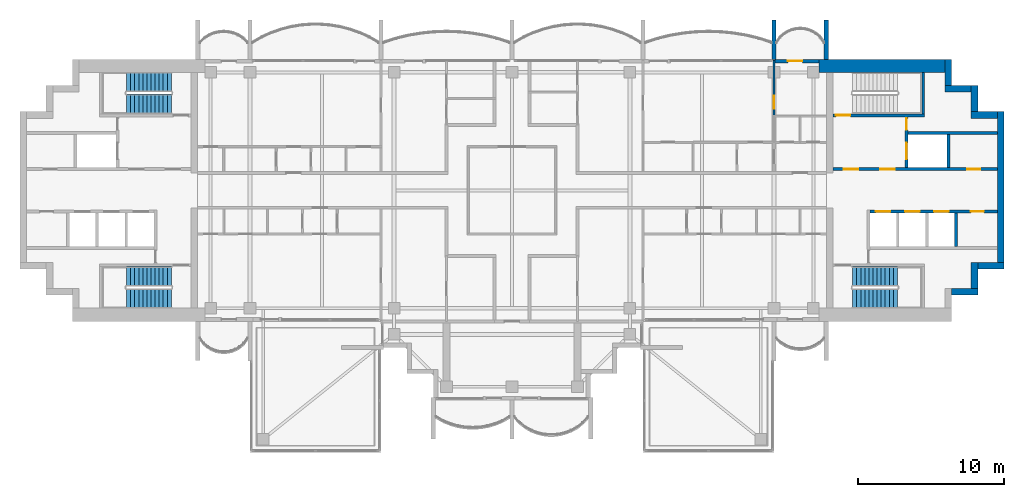
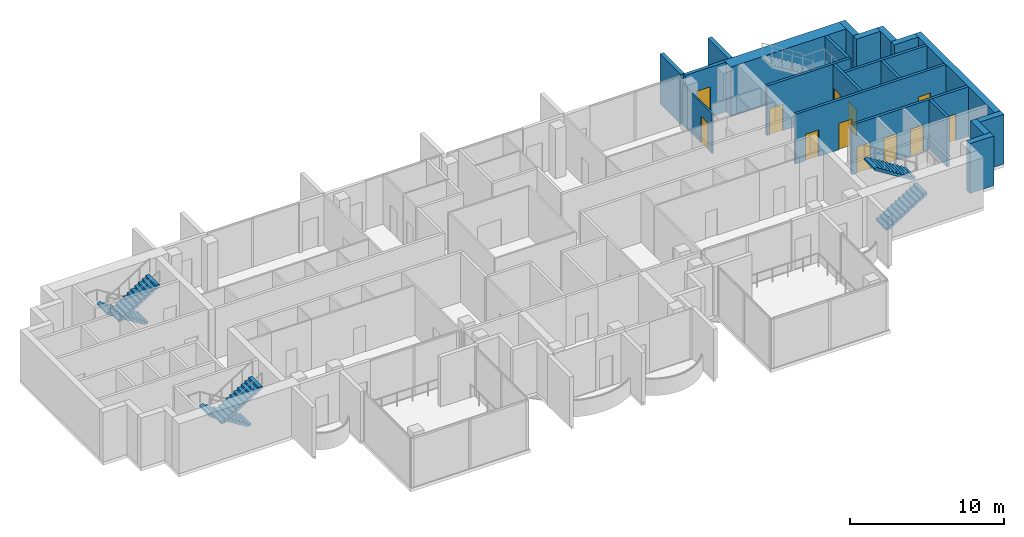
# One storey, part 11 of 16: 21 walls, 12 doors, 6 stair flights, 12 openings, 3 elements without a shape of their own.
"""IFC4 building model written with IfcOpenShell, lengths in metres."""

from ifc_helpers import new_model, si_unit, direction, frame, frame_2d, origin, place, context, subcontext, project, spatial, polyline, rectangle, outline, extrude, material, layer, layer_set, type_object, element, fill, aggregate, save


model = new_model("IFC4")

# Units and contexts
model_context = context("Model", 3, precision=1e-05, world=origin(), true_north=direction((0.0, 1.0)))
body_context = subcontext(model_context, "Body", "Model", "MODEL_VIEW")
ifc_project = project(units=[si_unit("LENGTHUNIT", "METRE"), si_unit("AREAUNIT", "SQUARE_METRE"), si_unit("VOLUMEUNIT", "CUBIC_METRE"), si_unit("PLANEANGLEUNIT", "RADIAN"), si_unit("MASSUNIT", "GRAM", prefix="KILO")], contexts=[model_context])

# Site, building, storey
site_placement = place(None, origin())
site = spatial("IfcSite", under=ifc_project, at=site_placement, CompositionType="ELEMENT")
building_placement = place(site_placement, origin())
building = spatial("IfcBuilding", under=site, at=building_placement, Name="Perihelion Cross Residences", CompositionType="ELEMENT")
storey_placement = place(building_placement, frame((0.0, 0.0, 294.60009765625)))
storey = spatial("IfcBuildingStorey", under=building, at=storey_placement, Name="L75", CompositionType="ELEMENT", Elevation=294.60009765625)

# Wall, opening, door
ifc_material_1 = material(Name="Concrete C30/37, bronze-clad", Category="concrete")
ifc_layer_1 = layer(ifc_material_1, 0.25)
ifc_layer_set_1 = layer_set([ifc_layer_1], Name="Bronze-clad pier wall 250")
wall_type_1 = type_object("IfcWallType", Name="Bronze-clad pier wall 250", PredefinedType="SOLIDWALL", material=ifc_layer_set_1)
wall_1_placement = place(storey_placement, frame((21.10009765625, 8.875, 0.0), z_axis=(0.0, 0.0, 1.0), x_axis=(-1.0, 0.0, 0.0)))
wall_1 = element("IfcWall", 1, at=wall_1_placement, inside=storey, type_object=wall_type_1, Name="Wall FW1 L75 east side north bay 1 pier", PredefinedType="SOLIDWALL", context=body_context, shape_type="SweptSolid", body=[
    extrude(rectangle(XDim=3.0400390625, YDim=0.25, at=frame_2d((1.52001953125, 0.0))), origin(), (0.0, 0.0, 1.0), 3.949951171875),
])
opening_1_placement = place(wall_1_placement, frame((1.14990234375, 0.0, 0.0)))
opening_1 = element("IfcOpeningElement", 2, at=opening_1_placement, cuts=wall_1, Name="Opening L75.E01", PredefinedType="OPENING", context=body_context, shape_type="SweptSolid", body=[
    extrude(rectangle(XDim=1.0, YDim=2.39990234375, at=frame_2d((0.5, 1.199951171875))), frame((0.0, 0.135009765625, 0.0), z_axis=(0.0, -1.0, 0.0), x_axis=(1.0, 0.0, 0.0)), (0.0, 0.0, 1.0), 0.27001953125),
])
ifc_material_2 = material(Name="Bronze anodised aluminium, glazed", Category="aluminium")
door_type_1 = type_object("IfcDoorType", Name="Balcony door 1000 x 2400", OperationType="NOTDEFINED", PredefinedType="DOOR", material=ifc_material_2)
door_1_placement = place(opening_1_placement, origin())
door_1 = element("IfcDoor", 3, at=door_1_placement, inside=storey, type_object=door_type_1, Name="Door L75.E01 east side north bay 1", OperationType="SINGLE_SWING_LEFT", OverallHeight=2.39990234375, OverallWidth=1.0, PredefinedType="DOOR", context=body_context, shape_type="SweptSolid", body=[
    extrude(rectangle(XDim=1.0, YDim=2.39990234375, at=frame_2d((0.5, 1.199951171875))), frame((0.0, 0.02490234375, 0.0), z_axis=(0.0, -1.0, 0.0), x_axis=(1.0, 0.0, 0.0)), (0.0, 0.0, 1.0), 0.050048828125),
])
fill(opening_1, door_1)

# Walls
ifc_material_3 = material(Name="Concrete C60/75", Category="concrete")
ifc_layer_2 = layer(ifc_material_3, 0.449951171875)
ifc_layer_set_2 = layer_set([ifc_layer_2], Name="Core wall, outer 450")
wall_type_2 = type_object("IfcWallType", Name="Core wall, outer 450", PredefinedType="SHEAR", material=ifc_layer_set_2)
for number, where, z_axis, x_axis, name in (
    (4, (30.199951171875, -6.97509765625, 0.0), (0.0, 0.0, 1.0), (1.0, 0.0, 0.0), "East core core wall, outer"),
    (5, (31.77490234375, -6.75, 0.0), (0.0, 0.0, 1.0), (0.0, 1.0, 0.0), "East core core wall, outer"),
    (6, (32.0, -5.175048828125, 0.0), (0.0, 0.0, 1.0), (1.0, 0.0, 0.0), "East core core wall, outer"),
):
    element("IfcWall", number, at=place(storey_placement, frame(where, z_axis=z_axis, x_axis=x_axis)), inside=storey, type_object=wall_type_2, Name=name, PredefinedType="SHEAR", context=body_context, shape_type="SweptSolid", body=[
        extrude(rectangle(XDim=1.800048828125, YDim=0.449951171875, at=frame_2d((0.89990234375, 0.0))), origin(), (0.0, 0.0, 1.0), 3.949951171875),
    ])
wall_2_placement = place(storey_placement, frame((33.574951171875, -4.949951171875, 0.0), z_axis=(0.0, 0.0, 1.0), x_axis=(0.0, 1.0, 0.0)))
element("IfcWall", 7, at=wall_2_placement, inside=storey, type_object=wall_type_2, Name="East core core wall, outer", PredefinedType="SHEAR", context=body_context, shape_type="SweptSolid", body=[
    extrude(rectangle(XDim=10.349853515625, YDim=0.449951171875, at=frame_2d((5.1748046875, 0.0))), origin(), (0.0, 0.0, 1.0), 3.949951171875),
])
for number, where, z_axis, x_axis, name in (
    (8, (31.550048828125, 5.175048828125, 0.0), (0.0, 0.0, 1.0), (1.0, 0.0, 0.0), "East core core wall, outer"),
    (9, (31.77490234375, 5.39990234375, 0.0), (0.0, 0.0, 1.0), (0.0, 1.0, 0.0), "East core core wall, outer"),
    (10, (29.75, 6.97509765625, 0.0), (0.0, 0.0, 1.0), (1.0, 0.0, 0.0), "East core core wall, outer"),
    (11, (29.97509765625, 7.199951171875, 0.0), (0.0, 0.0, 1.0), (0.0, 1.0, 0.0), "East core core wall, outer"),
):
    element("IfcWall", number, at=place(storey_placement, frame(where, z_axis=z_axis, x_axis=x_axis)), inside=storey, type_object=wall_type_2, Name=name, PredefinedType="SHEAR", context=body_context, shape_type="SweptSolid", body=[
        extrude(rectangle(XDim=1.800048828125, YDim=0.449951171875, at=frame_2d((0.89990234375, 0.0))), origin(), (0.0, 0.0, 1.0), 3.949951171875),
    ])
ifc_material_4 = material(Name="Concrete C60/75", Category="concrete")
ifc_layer_3 = layer(ifc_material_4, 0.89990234375)
ifc_layer_set_3 = layer_set([ifc_layer_3], Name="Core wall, outer 900")
wall_type_3 = type_object("IfcWallType", Name="Core wall, outer 900", PredefinedType="SHEAR", material=ifc_layer_set_3)
wall_3_placement = place(storey_placement, frame((21.10009765625, 8.550048828125, 0.0), z_axis=(0.0, 0.0, 1.0), x_axis=(1.0, 0.0, 0.0)))
element("IfcWall", 12, at=wall_3_placement, inside=storey, type_object=wall_type_3, Name="East core core wall, outer", PredefinedType="SHEAR", context=body_context, shape_type="SweptSolid", body=[
    extrude(rectangle(XDim=8.64990234375, YDim=0.89990234375, at=frame_2d((4.324951171875, 0.0))), origin(), (0.0, 0.0, 1.0), 3.949951171875),
])

# Wall, opening, door
ifc_material_5 = material(Name="Plasterboard partition")
ifc_layer_4 = layer(ifc_material_5, 0.1201171875)
ifc_layer_set_4 = layer_set([ifc_layer_4], Name="Partition wall 120")
wall_type_4 = type_object("IfcWallType", Name="Partition wall 120", PredefinedType="PARTITIONING", material=ifc_layer_set_4)
wall_4_placement = place(storey_placement, frame((18.0, 8.919921875, 0.0), z_axis=(0.0, 0.0, 1.0), x_axis=(0.0, -1.0, 0.0)))
wall_4 = element("IfcWall", 13, at=wall_4_placement, inside=storey, type_object=wall_type_4, Name="Partition L75 W030", PredefinedType="PARTITIONING", context=body_context, shape_type="SweptSolid", body=[
    extrude(rectangle(XDim=3.81982421875, YDim=0.1201171875, at=frame_2d((1.909912109375, 0.0))), origin(), (0.0, 0.0, 1.0), 3.19580078125),
])
opening_2_placement = place(wall_4_placement, frame((2.419921875, 0.0, 0.0)))
opening_2 = element("IfcOpeningElement", 14, at=opening_2_placement, cuts=wall_4, Name="Opening L75.A02", PredefinedType="OPENING", context=body_context, shape_type="SweptSolid", body=[
    extrude(rectangle(XDim=0.89990234375, YDim=2.10009765625, at=frame_2d((0.449951171875, 1.050048828125))), frame((0.0, 0.070068359375, 0.0), z_axis=(0.0, -1.0, 0.0), x_axis=(1.0, 0.0, 0.0)), (0.0, 0.0, 1.0), 0.14013671875),
])
ifc_material_6 = material(Name="Timber door leaf", Category="wood")
door_type_2 = type_object("IfcDoorType", Name="Interior room door 900 x 2100", OperationType="SINGLE_SWING_LEFT", PredefinedType="DOOR", material=ifc_material_6)
door_2_placement = place(opening_2_placement, origin())
door_2 = element("IfcDoor", 15, at=door_2_placement, inside=storey, type_object=door_type_2, Name="Door L75.A02", OperationType="SINGLE_SWING_LEFT", OverallHeight=2.10009765625, OverallWidth=0.89990234375, PredefinedType="DOOR", context=body_context, shape_type="SweptSolid", body=[
    extrude(rectangle(XDim=0.89990234375, YDim=2.10009765625, at=frame_2d((0.449951171875, 1.050048828125))), frame((0.0, 0.02490234375, 0.0), z_axis=(0.0, -1.0, 0.0), x_axis=(1.0, 0.0, 0.0)), (0.0, 0.0, 1.0), 0.050048828125),
])
fill(opening_2, door_2)

# Walls
ifc_material_7 = material(Name="Precast concrete C50/60", Category="concrete")
ifc_layer_5 = layer(ifc_material_7, 0.300048828125)
ifc_layer_set_5 = layer_set([ifc_layer_5], Name="Precast concrete C50/60 blade wall 300")
wall_type_5 = type_object("IfcWallType", Name="Precast concrete C50/60 blade wall 300", PredefinedType="SOLIDWALL", material=ifc_layer_set_5)
for number, where, z_axis, x_axis, name in (
    (16, (18.0, 9.0, 0.0), (0.0, 0.0, 1.0), (0.0, 1.0, 0.0), "Wall BL1 L75 no. 11"),
    (17, (21.60009765625, 9.0, 0.0), (0.0, 0.0, 1.0), (0.0, 1.0, 0.0), "Wall BL1 L75 no. 13"),
):
    element("IfcWall", number, at=place(storey_placement, frame(where, z_axis=z_axis, x_axis=x_axis)), inside=storey, type_object=wall_type_5, Name=name, PredefinedType="SOLIDWALL", context=body_context, shape_type="SweptSolid", body=[
        extrude(rectangle(XDim=2.699951171875, YDim=0.300048828125, at=frame_2d((1.35009765625, 0.0))), origin(), (0.0, 0.0, 1.0), 3.949951171875),
    ])

# Wall, openings, doors
ifc_material_8 = material(Name="Concrete C50/60", Category="concrete")
ifc_layer_6 = layer(ifc_material_8, 0.199951171875)
ifc_layer_set_6 = layer_set([ifc_layer_6], Name="Shaft wall 200")
wall_type_6 = type_object("IfcWallType", Name="Shaft wall 200", PredefinedType="SOLIDWALL", material=ifc_layer_set_6)
wall_5_placement = place(storey_placement, frame((22.050048828125, 1.449951171875, 0.0), z_axis=(0.0, 0.0, 1.0), x_axis=(1.0, 0.0, 0.0)))
wall_5 = element("IfcWall", 18, at=wall_5_placement, inside=storey, type_object=wall_type_6, Name="East core shaft wall", PredefinedType="SOLIDWALL", context=body_context, shape_type="SweptSolid", body=[
    extrude(rectangle(XDim=11.300048828125, YDim=0.199951171875, at=frame_2d((5.64990234375, 0.0))), origin(), (0.0, 0.0, 1.0), 3.949951171875),
])
opening_3_placement = place(wall_5_placement, frame((0.75, 0.0, 0.0)))
opening_3 = element("IfcOpeningElement", 19, at=opening_3_placement, cuts=wall_5, Name="Opening L75.C07", PredefinedType="OPENING", context=body_context, shape_type="SweptSolid", body=[
    extrude(rectangle(XDim=1.0, YDim=2.10009765625, at=frame_2d((0.5, 1.050048828125))), frame((0.0, 0.10986328125, 0.0), z_axis=(0.0, -1.0, 0.0), x_axis=(1.0, 0.0, 0.0)), (0.0, 0.0, 1.0), 0.219970703125),
])
opening_4_placement = place(wall_5_placement, frame((3.25, 0.0, 0.0)))
opening_4 = element("IfcOpeningElement", 20, at=opening_4_placement, cuts=wall_5, Name="Opening L75.C09", PredefinedType="OPENING", context=body_context, shape_type="SweptSolid", body=[
    extrude(rectangle(XDim=1.0, YDim=2.10009765625, at=frame_2d((0.5, 1.050048828125))), frame((0.0, 0.10986328125, 0.0), z_axis=(0.0, -1.0, 0.0), x_axis=(1.0, 0.0, 0.0)), (0.0, 0.0, 1.0), 0.219970703125),
])
opening_5_placement = place(wall_5_placement, frame((9.22509765625, 0.0, 0.0)))
opening_5 = element("IfcOpeningElement", 21, at=opening_5_placement, cuts=wall_5, Name="Opening L75.C11", PredefinedType="OPENING", context=body_context, shape_type="SweptSolid", body=[
    extrude(rectangle(XDim=0.89990234375, YDim=2.10009765625, at=frame_2d((0.449951171875, 1.050048828125))), frame((0.0, 0.10986328125, 0.0), z_axis=(0.0, -1.0, 0.0), x_axis=(1.0, 0.0, 0.0)), (0.0, 0.0, 1.0), 0.219970703125),
])
ifc_material_9 = material(Name="Steel, powder coated", Category="steel")
door_type_3 = type_object("IfcDoorType", Name="Lobby door 1000", OperationType="SINGLE_SWING_LEFT", PredefinedType="DOOR", material=ifc_material_9)
door_3_placement = place(opening_3_placement, origin())
door_3 = element("IfcDoor", 22, at=door_3_placement, inside=storey, type_object=door_type_3, Name="East core firefighting lobby door", OperationType="SINGLE_SWING_LEFT", OverallHeight=2.10009765625, OverallWidth=1.0, PredefinedType="DOOR", context=body_context, shape_type="SweptSolid", body=[
    extrude(rectangle(XDim=1.0, YDim=2.10009765625, at=frame_2d((0.5, 1.050048828125))), frame((0.0, 0.02490234375, 0.0), z_axis=(0.0, -1.0, 0.0), x_axis=(1.0, 0.0, 0.0)), (0.0, 0.0, 1.0), 0.050048828125),
])
fill(opening_3, door_3)
door_4_placement = place(opening_4_placement, origin())
door_4 = element("IfcDoor", 23, at=door_4_placement, inside=storey, type_object=door_type_3, Name="East core firefighting lobby door", OperationType="SINGLE_SWING_LEFT", OverallHeight=2.10009765625, OverallWidth=1.0, PredefinedType="DOOR", context=body_context, shape_type="SweptSolid", body=[
    extrude(rectangle(XDim=1.0, YDim=2.10009765625, at=frame_2d((0.5, 1.050048828125))), frame((0.0, 0.02490234375, 0.0), z_axis=(0.0, -1.0, 0.0), x_axis=(1.0, 0.0, 0.0)), (0.0, 0.0, 1.0), 0.050048828125),
])
fill(opening_4, door_4)
ifc_material_10 = material(Name="Steel, powder coated", Category="steel")
door_type_4 = type_object("IfcDoorType", Name="Service room door 900", OperationType="SINGLE_SWING_LEFT", PredefinedType="DOOR", material=ifc_material_10)
door_5_placement = place(opening_5_placement, origin())
door_5 = element("IfcDoor", 24, at=door_5_placement, inside=storey, type_object=door_type_4, Name="East core service room door", OperationType="SINGLE_SWING_LEFT", OverallHeight=2.10009765625, OverallWidth=0.89990234375, PredefinedType="DOOR", context=body_context, shape_type="SweptSolid", body=[
    extrude(rectangle(XDim=0.89990234375, YDim=2.10009765625, at=frame_2d((0.449951171875, 1.050048828125))), frame((0.0, 0.02490234375, 0.0), z_axis=(0.0, -1.0, 0.0), x_axis=(1.0, 0.0, 0.0)), (0.0, 0.0, 1.0), 0.050048828125),
])
fill(opening_5, door_5)

wall_6_placement = place(storey_placement, frame((24.60009765625, -1.449951171875, 0.0), z_axis=(0.0, 0.0, 1.0), x_axis=(1.0, 0.0, 0.0)))
wall_6 = element("IfcWall", 25, at=wall_6_placement, inside=storey, type_object=wall_type_6, Name="East core shaft wall", PredefinedType="SOLIDWALL", context=body_context, shape_type="SweptSolid", body=[
    extrude(rectangle(XDim=8.75, YDim=0.199951171875, at=frame_2d((4.375, 0.0))), origin(), (0.0, 0.0, 1.0), 3.949951171875),
])
opening_6_placement = place(wall_6_placement, frame((0.39990234375, 0.0, 0.0)))
opening_6 = element("IfcOpeningElement", 26, at=opening_6_placement, cuts=wall_6, Name="Opening L75.C01", PredefinedType="OPENING", context=body_context, shape_type="SweptSolid", body=[
    extrude(rectangle(XDim=1.0, YDim=2.10009765625, at=frame_2d((0.5, 1.050048828125))), frame((0.0, 0.10986328125, 0.0), z_axis=(0.0, -1.0, 0.0), x_axis=(1.0, 0.0, 0.0)), (0.0, 0.0, 1.0), 0.219970703125),
])
opening_7_placement = place(wall_6_placement, frame((2.39990234375, 0.0, 0.0)))
opening_7 = element("IfcOpeningElement", 27, at=opening_7_placement, cuts=wall_6, Name="Opening L75.C03", PredefinedType="OPENING", context=body_context, shape_type="SweptSolid", body=[
    extrude(rectangle(XDim=1.0, YDim=2.10009765625, at=frame_2d((0.5, 1.050048828125))), frame((0.0, 0.10986328125, 0.0), z_axis=(0.0, -1.0, 0.0), x_axis=(1.0, 0.0, 0.0)), (0.0, 0.0, 1.0), 0.219970703125),
])
opening_8_placement = place(wall_6_placement, frame((4.39990234375, 0.0, 0.0)))
opening_8 = element("IfcOpeningElement", 28, at=opening_8_placement, cuts=wall_6, Name="Opening L75.C04", PredefinedType="OPENING", context=body_context, shape_type="SweptSolid", body=[
    extrude(rectangle(XDim=1.0, YDim=2.10009765625, at=frame_2d((0.5, 1.050048828125))), frame((0.0, 0.10986328125, 0.0), z_axis=(0.0, -1.0, 0.0), x_axis=(1.0, 0.0, 0.0)), (0.0, 0.0, 1.0), 0.219970703125),
])
opening_9_placement = place(wall_6_placement, frame((6.925048828125, 0.0, 0.0)))
opening_9 = element("IfcOpeningElement", 29, at=opening_9_placement, cuts=wall_6, Name="Opening L75.C12", PredefinedType="OPENING", context=body_context, shape_type="SweptSolid", body=[
    extrude(rectangle(XDim=0.89990234375, YDim=2.10009765625, at=frame_2d((0.449951171875, 1.050048828125))), frame((0.0, 0.10986328125, 0.0), z_axis=(0.0, -1.0, 0.0), x_axis=(1.0, 0.0, 0.0)), (0.0, 0.0, 1.0), 0.219970703125),
])
ifc_material_11 = material(Name="Stainless steel", Category="steel")
door_type_5 = type_object("IfcDoorType", Name="Landing door 1000", OperationType="DOUBLE_DOOR_SLIDING", PredefinedType="DOOR", material=ifc_material_11)
door_6_placement = place(opening_6_placement, origin())
door_6 = element("IfcDoor", 30, at=door_6_placement, inside=storey, type_object=door_type_5, Name="Landing door, East core high-rise lift 1", OperationType="DOUBLE_DOOR_SLIDING", OverallHeight=2.10009765625, OverallWidth=1.0, PredefinedType="DOOR", context=body_context, shape_type="SweptSolid", body=[
    extrude(rectangle(XDim=1.0, YDim=2.10009765625, at=frame_2d((0.5, 1.050048828125))), frame((0.0, 0.02490234375, 0.0), z_axis=(0.0, -1.0, 0.0), x_axis=(1.0, 0.0, 0.0)), (0.0, 0.0, 1.0), 0.050048828125),
])
fill(opening_6, door_6)
door_7_placement = place(opening_7_placement, origin())
door_7 = element("IfcDoor", 31, at=door_7_placement, inside=storey, type_object=door_type_5, Name="Landing door, East core high-rise lift 2", OperationType="DOUBLE_DOOR_SLIDING", OverallHeight=2.10009765625, OverallWidth=1.0, PredefinedType="DOOR", context=body_context, shape_type="SweptSolid", body=[
    extrude(rectangle(XDim=1.0, YDim=2.10009765625, at=frame_2d((0.5, 1.050048828125))), frame((0.0, 0.02490234375, 0.0), z_axis=(0.0, -1.0, 0.0), x_axis=(1.0, 0.0, 0.0)), (0.0, 0.0, 1.0), 0.050048828125),
])
fill(opening_7, door_7)
door_8_placement = place(opening_8_placement, origin())
door_8 = element("IfcDoor", 32, at=door_8_placement, inside=storey, type_object=door_type_5, Name="Landing door, East core high-rise lift 3", OperationType="DOUBLE_DOOR_SLIDING", OverallHeight=2.10009765625, OverallWidth=1.0, PredefinedType="DOOR", context=body_context, shape_type="SweptSolid", body=[
    extrude(rectangle(XDim=1.0, YDim=2.10009765625, at=frame_2d((0.5, 1.050048828125))), frame((0.0, 0.02490234375, 0.0), z_axis=(0.0, -1.0, 0.0), x_axis=(1.0, 0.0, 0.0)), (0.0, 0.0, 1.0), 0.050048828125),
])
fill(opening_8, door_8)
door_9_placement = place(opening_9_placement, origin())
door_9 = element("IfcDoor", 33, at=door_9_placement, inside=storey, type_object=door_type_4, Name="East core service room door", OperationType="SINGLE_SWING_LEFT", OverallHeight=2.10009765625, OverallWidth=0.89990234375, PredefinedType="DOOR", context=body_context, shape_type="SweptSolid", body=[
    extrude(rectangle(XDim=0.89990234375, YDim=2.10009765625, at=frame_2d((0.449951171875, 1.050048828125))), frame((0.0, 0.02490234375, 0.0), z_axis=(0.0, -1.0, 0.0), x_axis=(1.0, 0.0, 0.0)), (0.0, 0.0, 1.0), 0.050048828125),
])
fill(opening_9, door_9)

# Wall
wall_7_placement = place(storey_placement, frame((27.199951171875, 3.949951171875, 0.0), z_axis=(0.0, 0.0, 1.0), x_axis=(1.0, 0.0, 0.0)))
element("IfcWall", 34, at=wall_7_placement, inside=storey, type_object=wall_type_6, Name="East core shaft wall", PredefinedType="SOLIDWALL", context=body_context, shape_type="SweptSolid", body=[
    extrude(rectangle(XDim=6.150146484375, YDim=0.199951171875, at=frame_2d((3.0751953125, 0.0))), origin(), (0.0, 0.0, 1.0), 3.949951171875),
])

# Wall, openings, doors
wall_8_placement = place(storey_placement, frame((27.10009765625, 1.550048828125, 0.0), z_axis=(0.0, 0.0, 1.0), x_axis=(0.0, 1.0, 0.0)))
wall_8 = element("IfcWall", 35, at=wall_8_placement, inside=storey, type_object=wall_type_6, Name="East core shaft wall", PredefinedType="SOLIDWALL", context=body_context, shape_type="SweptSolid", body=[
    extrude(rectangle(XDim=3.5, YDim=0.199951171875, at=frame_2d((1.75, 0.0))), origin(), (0.0, 0.0, 1.0), 3.949951171875),
])
opening_10_placement = place(wall_8_placement, frame((0.60009765625, 0.0, 0.0)))
opening_10 = element("IfcOpeningElement", 36, at=opening_10_placement, cuts=wall_8, Name="Opening L75.C02", PredefinedType="OPENING", context=body_context, shape_type="SweptSolid", body=[
    extrude(rectangle(XDim=1.10009765625, YDim=2.10009765625, at=frame_2d((0.550048828125, 1.050048828125))), frame((0.0, 0.10986328125, 0.0), z_axis=(0.0, -1.0, 0.0), x_axis=(1.0, 0.0, 0.0)), (0.0, 0.0, 1.0), 0.219970703125),
])
opening_11_placement = place(wall_8_placement, frame((2.60009765625, 0.0, 0.0)))
opening_11 = element("IfcOpeningElement", 37, at=opening_11_placement, cuts=wall_8, Name="Opening L75.C10", PredefinedType="OPENING", context=body_context, shape_type="SweptSolid", body=[
    extrude(rectangle(XDim=0.800048828125, YDim=2.10009765625, at=frame_2d((0.39990234375, 1.050048828125))), frame((0.0, 0.10986328125, 0.0), z_axis=(0.0, -1.0, 0.0), x_axis=(1.0, 0.0, 0.0)), (0.0, 0.0, 1.0), 0.219970703125),
])
ifc_material_12 = material(Name="Stainless steel", Category="steel")
door_type_6 = type_object("IfcDoorType", Name="Landing door, firefighting lift 1100", OperationType="DOUBLE_DOOR_SLIDING", PredefinedType="DOOR", material=ifc_material_12)
door_10_placement = place(opening_10_placement, origin())
door_10 = element("IfcDoor", 38, at=door_10_placement, inside=storey, type_object=door_type_6, Name="Landing door, East core firefighting and service lift", OperationType="DOUBLE_DOOR_SLIDING", OverallHeight=2.10009765625, OverallWidth=1.10009765625, PredefinedType="DOOR", context=body_context, shape_type="SweptSolid", body=[
    extrude(rectangle(XDim=1.10009765625, YDim=2.10009765625, at=frame_2d((0.550048828125, 1.050048828125))), frame((0.0, 0.02490234375, 0.0), z_axis=(0.0, -1.0, 0.0), x_axis=(1.0, 0.0, 0.0)), (0.0, 0.0, 1.0), 0.050048828125),
])
fill(opening_10, door_10)
ifc_material_13 = material(Name="Steel, powder coated", Category="steel")
door_type_7 = type_object("IfcDoorType", Name="Riser door 800", OperationType="SINGLE_SWING_LEFT", PredefinedType="DOOR", material=ifc_material_13)
door_11_placement = place(opening_11_placement, origin())
door_11 = element("IfcDoor", 39, at=door_11_placement, inside=storey, type_object=door_type_7, Name="East core riser door", OperationType="SINGLE_SWING_LEFT", OverallHeight=2.10009765625, OverallWidth=0.800048828125, PredefinedType="DOOR", context=body_context, shape_type="SweptSolid", body=[
    extrude(rectangle(XDim=0.800048828125, YDim=2.10009765625, at=frame_2d((0.39990234375, 1.050048828125))), frame((0.0, 0.02490234375, 0.0), z_axis=(0.0, -1.0, 0.0), x_axis=(1.0, 0.0, 0.0)), (0.0, 0.0, 1.0), 0.050048828125),
])
fill(opening_11, door_11)

# Walls
for number, where, z_axis, x_axis, name in (
    (40, (30.0, 1.550048828125, 0.0), (0.0, 0.0, 1.0), (0.0, 1.0, 0.0), "East core shaft wall"),
    (41, (30.5, -3.85009765625, 0.0), (0.0, 0.0, 1.0), (0.0, 1.0, 0.0), "East core shaft wall"),
):
    element("IfcWall", number, at=place(storey_placement, frame(where, z_axis=z_axis, x_axis=x_axis)), inside=storey, type_object=wall_type_6, Name=name, PredefinedType="SOLIDWALL", context=body_context, shape_type="SweptSolid", body=[
        extrude(rectangle(XDim=2.300048828125, YDim=0.199951171875, at=frame_2d((1.14990234375, 0.0))), origin(), (0.0, 0.0, 1.0), 3.949951171875),
    ])

# Wall, opening, door
ifc_material_14 = material(Name="Concrete C50/60", Category="concrete")
ifc_layer_7 = layer(ifc_material_14, 0.199951171875)
ifc_layer_set_7 = layer_set([ifc_layer_7], Name="Stair wall 200")
wall_type_7 = type_object("IfcWallType", Name="Stair wall 200", PredefinedType="SOLIDWALL", material=ifc_layer_set_7)
wall_9_placement = place(storey_placement, frame((22.050048828125, 5.14990234375, 0.0), z_axis=(0.0, 0.0, 1.0), x_axis=(1.0, 0.0, 0.0)))
wall_9 = element("IfcWall", 42, at=wall_9_placement, inside=storey, type_object=wall_type_7, Name="East core stair wall", PredefinedType="SOLIDWALL", context=body_context, shape_type="SweptSolid", body=[
    extrude(rectangle(XDim=6.300048828125, YDim=0.199951171875, at=frame_2d((3.14990234375, 0.0))), origin(), (0.0, 0.0, 1.0), 3.949951171875),
])
opening_12_placement = place(wall_9_placement, frame((0.199951171875, 0.0, 0.0)))
opening_12 = element("IfcOpeningElement", 43, at=opening_12_placement, cuts=wall_9, Name="Opening L75.C06", PredefinedType="OPENING", context=body_context, shape_type="SweptSolid", body=[
    extrude(rectangle(XDim=1.0, YDim=2.10009765625, at=frame_2d((0.5, 1.050048828125))), frame((0.0, 0.10986328125, 0.0), z_axis=(0.0, -1.0, 0.0), x_axis=(1.0, 0.0, 0.0)), (0.0, 0.0, 1.0), 0.219970703125),
])
ifc_material_15 = material(Name="Steel, powder coated", Category="steel")
door_type_8 = type_object("IfcDoorType", Name="Stair door 1000", OperationType="SINGLE_SWING_LEFT", PredefinedType="DOOR", material=ifc_material_15)
door_12_placement = place(opening_12_placement, origin())
door_12 = element("IfcDoor", 44, at=door_12_placement, inside=storey, type_object=door_type_8, Name="East core stair door", OperationType="SINGLE_SWING_LEFT", OverallHeight=2.10009765625, OverallWidth=1.0, PredefinedType="DOOR", context=body_context, shape_type="SweptSolid", body=[
    extrude(rectangle(XDim=1.0, YDim=2.10009765625, at=frame_2d((0.5, 1.050048828125))), frame((0.0, 0.02490234375, 0.0), z_axis=(0.0, -1.0, 0.0), x_axis=(1.0, 0.0, 0.0)), (0.0, 0.0, 1.0), 0.050048828125),
])
fill(opening_12, door_12)

# Wall
wall_10_placement = place(storey_placement, frame((28.25, 5.25, 0.0), z_axis=(0.0, 0.0, 1.0), x_axis=(0.0, 1.0, 0.0)))
element("IfcWall", 45, at=wall_10_placement, inside=storey, type_object=wall_type_7, Name="East core stair wall", PredefinedType="SOLIDWALL", context=body_context, shape_type="SweptSolid", body=[
    extrude(rectangle(XDim=2.85009765625, YDim=0.199951171875, at=frame_2d((1.425048828125, 0.0))), origin(), (0.0, 0.0, 1.0), 3.949951171875),
])

# Stair, stair flights
ifc_material_16 = material(Name="Concrete C40/50", Category="concrete")
stair_type = type_object("IfcStairType", Name="Exit stair, half-turn", PredefinedType="HALF_TURN_STAIR", material=ifc_material_16)
stair_1_placement = place(storey_placement, origin())
stair_1 = element("IfcStair", 46, at=stair_1_placement, inside=storey, type_object=stair_type, Name="L75 East core exit stair 2", PredefinedType="HALF_TURN_STAIR")
ifc_material_17 = material(Name="Concrete C40/50", Category="concrete")
stair_flight_type = type_object("IfcStairFlightType", Name="Exit stair flight", PredefinedType="STRAIGHT", material=ifc_material_17)
stair_flight_1_placement = place(storey_placement, frame((23.39990234375, -7.425048828125, 0.0), z_axis=(0.0, 0.0, 1.0), x_axis=(1.0, 0.0, 0.0)))
stair_flight_1 = element("IfcStairFlight", 47, at=stair_flight_1_placement, type_object=stair_flight_type, Name="ST-E2 flight 1", NumberOfRisers=12, NumberOfTreads=11, PredefinedType="STRAIGHT", RiserHeight=0.175, TreadLength=0.28, context=body_context, shape_type="SweptSolid", body=[
    extrude(outline(polyline([(0.0, 0.0), (0.0, 0.175048828125), (0.280029296875, 0.175048828125), (0.280029296875, 0.35009765625), (0.56005859375, 0.35009765625), (0.56005859375, 0.52490234375), (0.840087890625, 0.52490234375), (0.840087890625, 0.699951171875), (1.1201171875, 0.699951171875), (1.1201171875, 0.875), (1.39990234375, 0.875), (1.39990234375, 1.050048828125), (1.679931640625, 1.050048828125), (1.679931640625, 1.22509765625), (1.9599609375, 1.22509765625), (1.9599609375, 1.39990234375), (2.239990234375, 1.39990234375), (2.239990234375, 1.574951171875), (2.52001953125, 1.574951171875), (2.52001953125, 1.75), (2.800048828125, 1.75), (2.800048828125, 1.925048828125), (3.080078125, 1.925048828125), (3.080078125, 2.10009765625), (3.080078125, 1.748291015625), (0.28271484375, 0.0), (0.0, 0.0)])), frame((0.0, 0.675048828125, 0.0), z_axis=(0.0, -1.0, 0.0), x_axis=(1.0, 0.0, 0.0)), (0.0, 0.0, 1.0), 1.35009765625),
])
stair_flight_2_placement = place(storey_placement, frame((26.47998046875, -5.925048828125, 2.099853515625), z_axis=(0.0, 0.0, 1.0), x_axis=(-1.0, 0.0, 0.0)))
stair_flight_2 = element("IfcStairFlight", 48, at=stair_flight_2_placement, type_object=stair_flight_type, Name="ST-E2 flight 2", NumberOfRisers=12, NumberOfTreads=11, PredefinedType="STRAIGHT", RiserHeight=0.175, TreadLength=0.28, context=body_context, shape_type="SweptSolid", body=[
    extrude(outline(polyline([(0.0, 0.0), (0.0, 0.175048828125), (0.280029296875, 0.175048828125), (0.280029296875, 0.35009765625), (0.56005859375, 0.35009765625), (0.56005859375, 0.52490234375), (0.840087890625, 0.52490234375), (0.840087890625, 0.699951171875), (1.1201171875, 0.699951171875), (1.1201171875, 0.875), (1.39990234375, 0.875), (1.39990234375, 1.050048828125), (1.679931640625, 1.050048828125), (1.679931640625, 1.22509765625), (1.9599609375, 1.22509765625), (1.9599609375, 1.39990234375), (2.239990234375, 1.39990234375), (2.239990234375, 1.574951171875), (2.52001953125, 1.574951171875), (2.52001953125, 1.75), (2.800048828125, 1.75), (2.800048828125, 1.925048828125), (3.080078125, 1.925048828125), (3.080078125, 2.10009765625), (3.080078125, 1.748291015625), (0.28271484375, 0.0), (0.0, 0.0)])), frame((0.0, 0.675048828125, 0.0), z_axis=(0.0, -1.0, 0.0), x_axis=(1.0, 0.0, 0.0)), (0.0, 0.0, 1.0), 1.35009765625),
])
aggregate(stair_1, [stair_flight_1, stair_flight_2])

stair_2_placement = place(storey_placement, origin())
stair_2 = element("IfcStair", 49, at=stair_2_placement, inside=storey, type_object=stair_type, Name="L75 West core exit stair 1", PredefinedType="HALF_TURN_STAIR")
stair_flight_3_placement = place(storey_placement, frame((-23.39990234375, 7.425048828125, 0.0), z_axis=(0.0, 0.0, 1.0), x_axis=(-1.0, 0.0, 0.0)))
stair_flight_3 = element("IfcStairFlight", 50, at=stair_flight_3_placement, type_object=stair_flight_type, Name="ST-W1 flight 1", NumberOfRisers=12, NumberOfTreads=11, PredefinedType="STRAIGHT", RiserHeight=0.175, TreadLength=0.28, context=body_context, shape_type="SweptSolid", body=[
    extrude(outline(polyline([(0.0, 0.0), (0.0, 0.175048828125), (0.280029296875, 0.175048828125), (0.280029296875, 0.35009765625), (0.56005859375, 0.35009765625), (0.56005859375, 0.52490234375), (0.840087890625, 0.52490234375), (0.840087890625, 0.699951171875), (1.1201171875, 0.699951171875), (1.1201171875, 0.875), (1.39990234375, 0.875), (1.39990234375, 1.050048828125), (1.679931640625, 1.050048828125), (1.679931640625, 1.22509765625), (1.9599609375, 1.22509765625), (1.9599609375, 1.39990234375), (2.239990234375, 1.39990234375), (2.239990234375, 1.574951171875), (2.52001953125, 1.574951171875), (2.52001953125, 1.75), (2.800048828125, 1.75), (2.800048828125, 1.925048828125), (3.080078125, 1.925048828125), (3.080078125, 2.10009765625), (3.080078125, 1.748291015625), (0.28271484375, 0.0), (0.0, 0.0)])), frame((0.0, 0.675048828125, 0.0), z_axis=(0.0, -1.0, 0.0), x_axis=(1.0, 0.0, 0.0)), (0.0, 0.0, 1.0), 1.35009765625),
])
stair_flight_4_placement = place(storey_placement, frame((-26.47998046875, 5.925048828125, 2.099853515625), z_axis=(0.0, 0.0, 1.0), x_axis=(1.0, 0.0, 0.0)))
stair_flight_4 = element("IfcStairFlight", 51, at=stair_flight_4_placement, type_object=stair_flight_type, Name="ST-W1 flight 2", NumberOfRisers=12, NumberOfTreads=11, PredefinedType="STRAIGHT", RiserHeight=0.175, TreadLength=0.28, context=body_context, shape_type="SweptSolid", body=[
    extrude(outline(polyline([(0.0, 0.0), (0.0, 0.175048828125), (0.280029296875, 0.175048828125), (0.280029296875, 0.35009765625), (0.56005859375, 0.35009765625), (0.56005859375, 0.52490234375), (0.840087890625, 0.52490234375), (0.840087890625, 0.699951171875), (1.1201171875, 0.699951171875), (1.1201171875, 0.875), (1.39990234375, 0.875), (1.39990234375, 1.050048828125), (1.679931640625, 1.050048828125), (1.679931640625, 1.22509765625), (1.9599609375, 1.22509765625), (1.9599609375, 1.39990234375), (2.239990234375, 1.39990234375), (2.239990234375, 1.574951171875), (2.52001953125, 1.574951171875), (2.52001953125, 1.75), (2.800048828125, 1.75), (2.800048828125, 1.925048828125), (3.080078125, 1.925048828125), (3.080078125, 2.10009765625), (3.080078125, 1.748291015625), (0.28271484375, 0.0), (0.0, 0.0)])), frame((0.0, 0.675048828125, 0.0), z_axis=(0.0, -1.0, 0.0), x_axis=(1.0, 0.0, 0.0)), (0.0, 0.0, 1.0), 1.35009765625),
])
aggregate(stair_2, [stair_flight_3, stair_flight_4])

stair_3_placement = place(storey_placement, origin())
stair_3 = element("IfcStair", 52, at=stair_3_placement, inside=storey, type_object=stair_type, Name="L75 West core exit stair 2", PredefinedType="HALF_TURN_STAIR")
stair_flight_5_placement = place(storey_placement, frame((-23.39990234375, -5.925048828125, 0.0), z_axis=(0.0, 0.0, 1.0), x_axis=(-1.0, 0.0, 0.0)))
stair_flight_5 = element("IfcStairFlight", 53, at=stair_flight_5_placement, type_object=stair_flight_type, Name="ST-W2 flight 1", NumberOfRisers=12, NumberOfTreads=11, PredefinedType="STRAIGHT", RiserHeight=0.175, TreadLength=0.28, context=body_context, shape_type="SweptSolid", body=[
    extrude(outline(polyline([(0.0, 0.0), (0.0, 0.175048828125), (0.280029296875, 0.175048828125), (0.280029296875, 0.35009765625), (0.56005859375, 0.35009765625), (0.56005859375, 0.52490234375), (0.840087890625, 0.52490234375), (0.840087890625, 0.699951171875), (1.1201171875, 0.699951171875), (1.1201171875, 0.875), (1.39990234375, 0.875), (1.39990234375, 1.050048828125), (1.679931640625, 1.050048828125), (1.679931640625, 1.22509765625), (1.9599609375, 1.22509765625), (1.9599609375, 1.39990234375), (2.239990234375, 1.39990234375), (2.239990234375, 1.574951171875), (2.52001953125, 1.574951171875), (2.52001953125, 1.75), (2.800048828125, 1.75), (2.800048828125, 1.925048828125), (3.080078125, 1.925048828125), (3.080078125, 2.10009765625), (3.080078125, 1.748291015625), (0.28271484375, 0.0), (0.0, 0.0)])), frame((0.0, 0.675048828125, 0.0), z_axis=(0.0, -1.0, 0.0), x_axis=(1.0, 0.0, 0.0)), (0.0, 0.0, 1.0), 1.35009765625),
])
stair_flight_6_placement = place(storey_placement, frame((-26.47998046875, -7.425048828125, 2.099853515625), z_axis=(0.0, 0.0, 1.0), x_axis=(1.0, 0.0, 0.0)))
stair_flight_6 = element("IfcStairFlight", 54, at=stair_flight_6_placement, type_object=stair_flight_type, Name="ST-W2 flight 2", NumberOfRisers=12, NumberOfTreads=11, PredefinedType="STRAIGHT", RiserHeight=0.175, TreadLength=0.28, context=body_context, shape_type="SweptSolid", body=[
    extrude(outline(polyline([(0.0, 0.0), (0.0, 0.175048828125), (0.280029296875, 0.175048828125), (0.280029296875, 0.35009765625), (0.56005859375, 0.35009765625), (0.56005859375, 0.52490234375), (0.840087890625, 0.52490234375), (0.840087890625, 0.699951171875), (1.1201171875, 0.699951171875), (1.1201171875, 0.875), (1.39990234375, 0.875), (1.39990234375, 1.050048828125), (1.679931640625, 1.050048828125), (1.679931640625, 1.22509765625), (1.9599609375, 1.22509765625), (1.9599609375, 1.39990234375), (2.239990234375, 1.39990234375), (2.239990234375, 1.574951171875), (2.52001953125, 1.574951171875), (2.52001953125, 1.75), (2.800048828125, 1.75), (2.800048828125, 1.925048828125), (3.080078125, 1.925048828125), (3.080078125, 2.10009765625), (3.080078125, 1.748291015625), (0.28271484375, 0.0), (0.0, 0.0)])), frame((0.0, 0.675048828125, 0.0), z_axis=(0.0, -1.0, 0.0), x_axis=(1.0, 0.0, 0.0)), (0.0, 0.0, 1.0), 1.35009765625),
])
aggregate(stair_3, [stair_flight_5, stair_flight_6])

save(model, "model.ifc")
